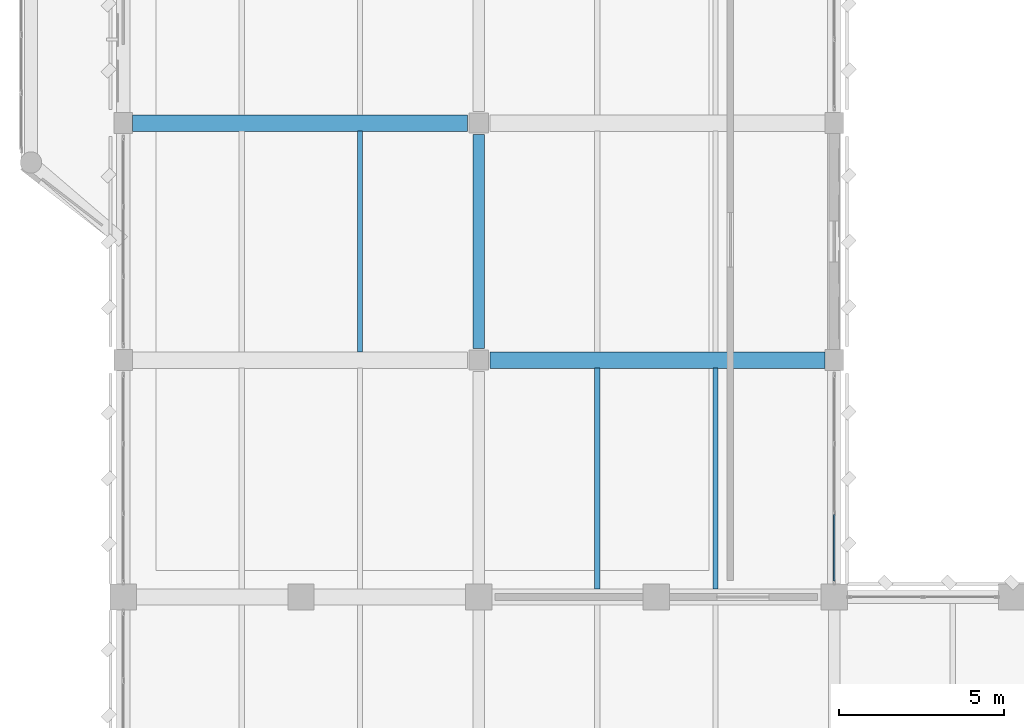
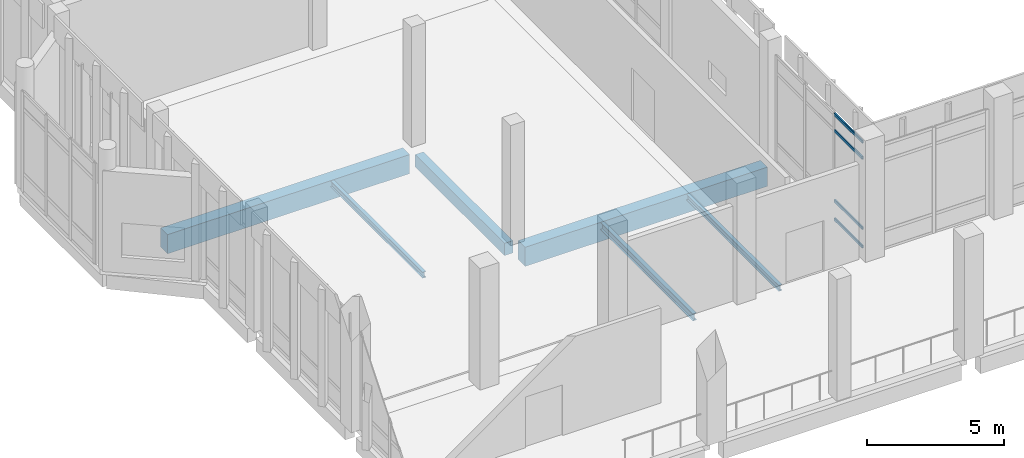
# One storey, part 24 of 180: 6 beams, 4 members, 1 element without a shape of its own.
"""IFC4 building model written with IfcOpenShell, lengths in metres."""

from ifc_helpers import new_model, si_unit, direction, frame, origin, origin_2d, place, context, subcontext, project, spatial, rectangle, hollow_rectangle, i_section, extrude, material, material_profile, profile_set, type_object, element, aggregate, save


model = new_model("IFC4")

# Units and contexts
model_context = context("Model", 3, precision=1e-05, world=origin(), true_north=direction((0.0, 1.0)))
body_context = subcontext(model_context, "Body", "Model", "MODEL_VIEW")
ifc_project = project(units=[si_unit("LENGTHUNIT", "METRE"), si_unit("AREAUNIT", "SQUARE_METRE"), si_unit("VOLUMEUNIT", "CUBIC_METRE"), si_unit("PLANEANGLEUNIT", "RADIAN"), si_unit("MASSUNIT", "GRAM", prefix="KILO")], contexts=[model_context])

# Site, building, storey
site_placement = place(None, origin())
site = spatial("IfcSite", under=ifc_project, at=site_placement, CompositionType="ELEMENT")
building_placement = place(site_placement, origin())
building = spatial("IfcBuilding", under=site, at=building_placement, Name="Lusvemor Sports Hall", CompositionType="ELEMENT")
storey_placement = place(building_placement, frame((0.0, 0.0, 5.39990234375)))
storey = spatial("IfcBuildingStorey", under=building, at=storey_placement, Name="L01", CompositionType="ELEMENT", Elevation=5.39990234375)

# Beam
ifc_material_1 = material(Name="Concrete C40/50", Category="concrete")
ifc_material_profile_1 = material_profile(ifc_material_1, rectangle(XDim=0.35009765625, YDim=0.550048828125, at=origin_2d()), Name="RC350x550")
ifc_profile_set_1 = profile_set([ifc_material_profile_1], Name="Concrete C40/50")
beam_type_1 = type_object("IfcBeamType", Name="BEAM_RC_550", PredefinedType="BEAM", material=ifc_profile_set_1)
beam_1_placement = place(storey_placement, frame((10.800048828125, 54.345947265625, -0.534912109375), z_axis=(0.0, 1.0, 0.0), x_axis=(-1.0, 0.0, 0.0)))
element("IfcBeam", 1, at=beam_1_placement, inside=storey, type_object=beam_type_1, Name="Beam L01 2:G-H", PredefinedType="BEAM", context=body_context, shape_type="SweptSolid", body=[
    extrude(rectangle(XDim=0.35009765625, YDim=0.550048828125, at=origin_2d()), origin(), (0.0, 0.0, 1.0), 6.508056640625),
])

# Curtain wall, members
ifc_material_2 = material(Name="Thermally broken bronze-anodized aluminium", Category="aluminium")
curtain_wall_type = type_object("IfcCurtainWallType", Name="CW_WING_B", PredefinedType="NOTDEFINED", material=ifc_material_2)
curtain_wall_placement = place(storey_placement, origin())
curtain_wall = element("IfcCurtainWall", 2, at=curtain_wall_placement, inside=storey, type_object=curtain_wall_type, Name="Curtain Wall CW-L01-E-4-0", PredefinedType="NOTDEFINED")
ifc_material_3 = material(Name="Thermally broken bronze-anodized aluminium", Category="aluminium")
ifc_material_profile_2 = material_profile(ifc_material_3, hollow_rectangle(XDim=0.06005859375, YDim=0.135009765625, WallThickness=0.00390625, InnerFilletRadius=0.00390625, OuterFilletRadius=0.008056640625, at=origin_2d()), Name="CWTRN135x60x4")
ifc_profile_set_2 = profile_set([ifc_material_profile_2], Name="Thermally broken bronze-anodized aluminium")
member_type = type_object("IfcMemberType", Name="CW_TRN_B", PredefinedType="USERDEFINED", material=ifc_profile_set_2)
member_1_placement = place(storey_placement, frame((21.60009765625, 49.3076171875, 0.030029296875), z_axis=(0.0, -1.0, 0.0), x_axis=(1.0, 0.0, 0.0)))
member_1 = element("IfcMember", 3, at=member_1_placement, type_object=member_type, Name="CW02 transom 3.1", ObjectType="TRANSOM", PredefinedType="USERDEFINED", context=body_context, shape_type="SweptSolid", body=[
    extrude(hollow_rectangle(XDim=0.06005859375, YDim=0.135009765625, WallThickness=0.00390625, InnerFilletRadius=0.00390625, OuterFilletRadius=0.008056640625, at=origin_2d()), origin(), (0.0, 0.0, 1.0), 2.022705078125),
])
member_2_placement = place(storey_placement, frame((21.60009765625, 49.3076171875, 0.85009765625), z_axis=(0.0, -1.0, 0.0), x_axis=(1.0, 0.0, 0.0)))
member_2 = element("IfcMember", 4, at=member_2_placement, type_object=member_type, Name="CW02 transom 3.2", ObjectType="TRANSOM", PredefinedType="USERDEFINED", context=body_context, shape_type="SweptSolid", body=[
    extrude(hollow_rectangle(XDim=0.06005859375, YDim=0.135009765625, WallThickness=0.00390625, InnerFilletRadius=0.00390625, OuterFilletRadius=0.008056640625, at=origin_2d()), origin(), (0.0, 0.0, 1.0), 2.022705078125),
])
member_3_placement = place(storey_placement, frame((21.60009765625, 49.3076171875, 3.97021484375), z_axis=(0.0, -1.0, 0.0), x_axis=(1.0, 0.0, 0.0)))
member_3 = element("IfcMember", 5, at=member_3_placement, type_object=member_type, Name="CW02 transom 3.3", ObjectType="TRANSOM", PredefinedType="USERDEFINED", context=body_context, shape_type="SweptSolid", body=[
    extrude(hollow_rectangle(XDim=0.06005859375, YDim=0.135009765625, WallThickness=0.00390625, InnerFilletRadius=0.00390625, OuterFilletRadius=0.008056640625, at=origin_2d()), origin(), (0.0, 0.0, 1.0), 2.022705078125),
])
member_4_placement = place(storey_placement, frame((21.60009765625, 49.3076171875, 4.690185546875), z_axis=(0.0, -1.0, 0.0), x_axis=(1.0, 0.0, 0.0)))
member_4 = element("IfcMember", 6, at=member_4_placement, type_object=member_type, Name="CW02 transom 3.4", ObjectType="TRANSOM", PredefinedType="USERDEFINED", context=body_context, shape_type="SweptSolid", body=[
    extrude(hollow_rectangle(XDim=0.06005859375, YDim=0.135009765625, WallThickness=0.00390625, InnerFilletRadius=0.00390625, OuterFilletRadius=0.008056640625, at=origin_2d()), origin(), (0.0, 0.0, 1.0), 2.022705078125),
])
aggregate(curtain_wall, [member_1, member_2, member_3, member_4])

# Beams
ifc_material_4 = material(Name="Concrete C40/50", Category="concrete")
ifc_material_profile_3 = material_profile(ifc_material_4, rectangle(XDim=0.5, YDim=0.85009765625, at=origin_2d()), Name="RC500x850")
ifc_profile_set_3 = profile_set([ifc_material_profile_3], Name="Concrete C40/50")
beam_type_2 = type_object("IfcBeamType", Name="GIRD_RC_850", PredefinedType="T_BEAM", material=ifc_profile_set_3)
beam_2_placement = place(storey_placement, frame((11.14599609375, 54.0, -0.684814453125), z_axis=(1.0, 0.0, 0.0), x_axis=(0.0, 1.0, 0.0)))
element("IfcBeam", 7, at=beam_2_placement, inside=storey, type_object=beam_type_2, Name="Beam L01 G:2-3", PredefinedType="T_BEAM", context=body_context, shape_type="SweptSolid", body=[
    extrude(rectangle(XDim=0.5, YDim=0.85009765625, at=origin_2d()), origin(), (0.0, 0.0, 1.0), 10.177978515625),
])
beam_3_placement = place(storey_placement, frame((0.27587890625, 61.199951171875, -0.684814453125), z_axis=(1.0, 0.0, 0.0), x_axis=(0.0, 1.0, 0.0)))
element("IfcBeam", 8, at=beam_3_placement, inside=storey, type_object=beam_type_2, Name="Beam L01 H:1-2", PredefinedType="T_BEAM", context=body_context, shape_type="SweptSolid", body=[
    extrude(rectangle(XDim=0.5, YDim=0.85009765625, at=origin_2d()), origin(), (0.0, 0.0, 1.0), 10.17822265625),
])
ifc_material_5 = material(Name="Steel S355", Category="steel")
ifc_material_profile_4 = material_profile(ifc_material_5, i_section(OverallWidth=0.14794921875, OverallDepth=0.26611328125, WebThickness=0.007568359375, FlangeThickness=0.012939453125, FilletRadius=0.012939453125, at=origin_2d()), Name="W250x44.8")
ifc_profile_set_4 = profile_set([ifc_material_profile_4], Name="Steel S355")
beam_type_3 = type_object("IfcBeamType", Name="JOIST_ST_250M", PredefinedType="JOIST", material=ifc_profile_set_4)
for number, where, z_axis, x_axis, name in (
    (9, (7.199951171875, 54.24609375, -0.39697265625), (0.0, 1.0, 0.0), (-1.0, 0.0, 0.0), "Secondary Joist L01 1-2/G-H #2"),
    (10, (18.0, 47.0458984375, -0.39697265625), (0.0, 1.0, 0.0), (-1.0, 0.0, 0.0), "Secondary Joist L01 2-3/F-G #2"),
):
    element("IfcBeam", number, at=place(storey_placement, frame(where, z_axis=z_axis, x_axis=x_axis)), inside=storey, type_object=beam_type_3, Name=name, PredefinedType="JOIST", context=body_context, shape_type="SweptSolid", body=[
        extrude(i_section(OverallWidth=0.14794921875, OverallDepth=0.26611328125, WebThickness=0.007568359375, FlangeThickness=0.012939453125, FilletRadius=0.012939453125, at=origin_2d()), origin(), (0.0, 0.0, 1.0), 6.7080078125),
    ])
ifc_material_6 = material(Name="Steel S355", Category="steel")
ifc_material_profile_5 = material_profile(ifc_material_6, i_section(OverallWidth=0.1669921875, OverallDepth=0.31689453125, WebThickness=0.007568359375, FlangeThickness=0.01318359375, FilletRadius=0.014892578125, at=origin_2d()), Name="W310x52.0")
ifc_profile_set_5 = profile_set([ifc_material_profile_5], Name="Steel S355")
beam_type_4 = type_object("IfcBeamType", Name="JOIST_ST_310M", PredefinedType="JOIST", material=ifc_profile_set_5)
beam_4_placement = place(storey_placement, frame((14.39990234375, 47.0458984375, -0.42236328125), z_axis=(0.0, 1.0, 0.0), x_axis=(-1.0, 0.0, 0.0)))
element("IfcBeam", 11, at=beam_4_placement, inside=storey, type_object=beam_type_4, Name="Secondary Joist L01 2-3/F-G #1", PredefinedType="JOIST", context=body_context, shape_type="SweptSolid", body=[
    extrude(i_section(OverallWidth=0.1669921875, OverallDepth=0.31689453125, WebThickness=0.007568359375, FlangeThickness=0.01318359375, FilletRadius=0.014892578125, at=origin_2d()), origin(), (0.0, 0.0, 1.0), 6.7080078125),
])

save(model, "model.ifc")
